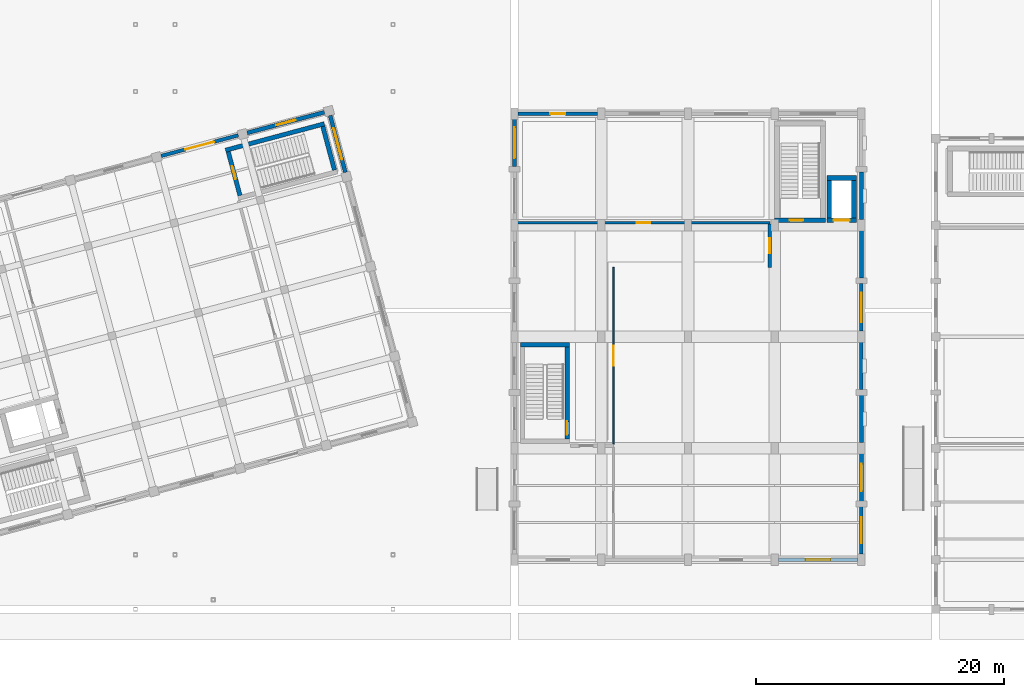
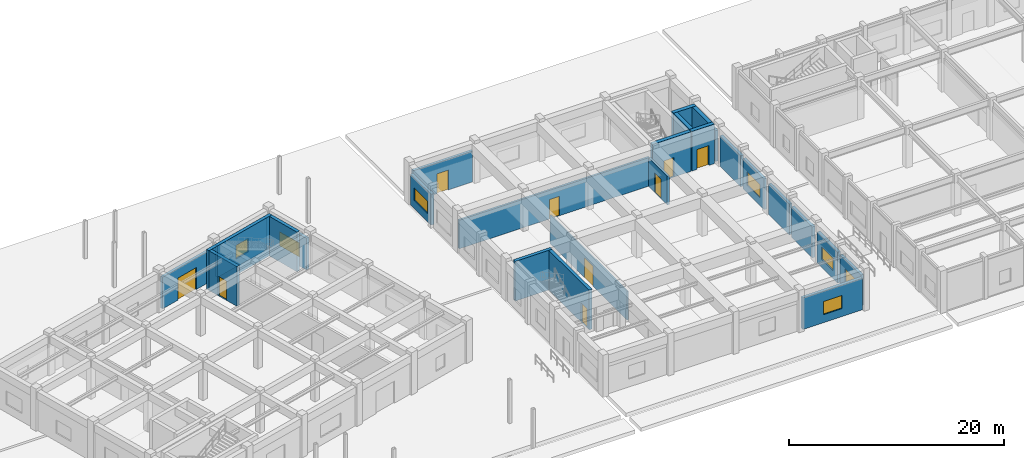
# One storey, part 37 of 47: 26 walls, 9 doors, 7 windows, 16 openings.
"""IFC4 building model written with IfcOpenShell, lengths in metres."""

from ifc_helpers import new_model, si_unit, direction, frame, frame_2d, origin, place, context, subcontext, project, spatial, rectangle, extrude, material, layer, layer_set, type_object, element, fill, save


model = new_model("IFC4")

# Units and contexts
model_context = context("Model", 3, precision=1e-05, world=origin(), true_north=direction((0.0, 1.0)))
body_context = subcontext(model_context, "Body", "Model", "MODEL_VIEW")
ifc_project = project(units=[si_unit("LENGTHUNIT", "METRE"), si_unit("AREAUNIT", "SQUARE_METRE"), si_unit("VOLUMEUNIT", "CUBIC_METRE"), si_unit("PLANEANGLEUNIT", "RADIAN"), si_unit("MASSUNIT", "GRAM", prefix="KILO")], contexts=[model_context])

# Site, building, storey
site_placement = place(None, origin())
site = spatial("IfcSite", under=ifc_project, at=site_placement, CompositionType="ELEMENT")
building_placement = place(site_placement, origin())
building = spatial("IfcBuilding", under=site, at=building_placement, Name="Ventoquebrada Cableway Terminal", CompositionType="ELEMENT")
storey_placement = place(building_placement, origin())
storey = spatial("IfcBuildingStorey", under=building, at=storey_placement, Name="L00", CompositionType="ELEMENT", Elevation=0.0)

# Wall, opening, door
ifc_material_1 = material(Name="Concrete C40/50", Category="concrete")
ifc_layer_1 = layer(ifc_material_1, 0.39990234375)
ifc_layer_set_1 = layer_set([ifc_layer_1], Name="Concrete C40/50")
wall_type_1 = type_object("IfcWallType", Name="WL-CR1", PredefinedType="SHEAR", material=ifc_layer_set_1)
wall_1_placement = place(storey_placement, frame((116.0, 95.39990234375, 0.0), z_axis=(0.0, 0.0, 1.0), x_axis=(1.0, 0.0, 0.0)))
wall_1 = element("IfcWall", 1, at=wall_1_placement, inside=storey, type_object=wall_type_1, Name="Core shear wall IW-0129", PredefinedType="SHEAR", context=body_context, shape_type="SweptSolid", body=[
    extrude(rectangle(XDim=4.10009765625, YDim=0.39990234375, at=frame_2d((2.050048828125, 0.0))), origin(), (0.0, 0.0, 1.0), 4.489990234375),
])
opening_1_placement = place(wall_1_placement, frame((1.199951171875, 0.0, 0.0)))
opening_1 = element("IfcOpeningElement", 2, at=opening_1_placement, cuts=wall_1, Name="Opening D-016", PredefinedType="OPENING", context=body_context, shape_type="SweptSolid", body=[
    extrude(rectangle(XDim=1.10009765625, YDim=2.199951171875, at=frame_2d((0.550048828125, 1.10009765625))), frame((0.0, 0.2099609375, 0.0), z_axis=(0.0, -1.0, 0.0), x_axis=(1.0, 0.0, 0.0)), (0.0, 0.0, 1.0), 0.419921875),
])
ifc_material_2 = material(Name="Galvanized fire-rated steel door assembly", Category="steel")
door_type_1 = type_object("IfcDoorType", Name="DT-IN05", OperationType="SINGLE_SWING_LEFT", PredefinedType="DOOR", material=ifc_material_2)
door_1_placement = place(opening_1_placement, origin())
door_1 = element("IfcDoor", 3, at=door_1_placement, inside=storey, type_object=door_type_1, Name="Core K4-S stair fire door D-016", OperationType="SINGLE_SWING_LEFT", OverallHeight=2.199951171875, OverallWidth=1.10009765625, PredefinedType="DOOR", context=body_context, shape_type="SweptSolid", body=[
    extrude(rectangle(XDim=1.10009765625, YDim=2.199951171875, at=frame_2d((0.550048828125, 1.10009765625))), frame((0.0, 0.02490234375, 0.0), z_axis=(0.0, -1.0, 0.0), x_axis=(1.0, 0.0, 0.0)), (0.0, 0.0, 1.0), 0.050048828125),
])
fill(opening_1, door_1)

wall_2_placement = place(storey_placement, frame((120.199951171875, 95.39990234375, 0.0), z_axis=(0.0, 0.0, 1.0), x_axis=(1.0, 0.0, 0.0)))
wall_2 = element("IfcWall", 4, at=wall_2_placement, inside=storey, type_object=wall_type_1, Name="Core shear wall IW-0133", PredefinedType="SHEAR", context=body_context, shape_type="SweptSolid", body=[
    extrude(rectangle(XDim=2.400146484375, YDim=0.39990234375, at=frame_2d((1.2001953125, 0.0))), origin(), (0.0, 0.0, 1.0), 4.489990234375),
])
opening_2_placement = place(wall_2_placement, frame((0.550048828125, 0.0, 0.0)))
opening_2 = element("IfcOpeningElement", 5, at=opening_2_placement, cuts=wall_2, Name="Opening LD-016", PredefinedType="OPENING", context=body_context, shape_type="SweptSolid", body=[
    extrude(rectangle(XDim=1.300048828125, YDim=2.25, at=frame_2d((0.64990234375, 1.125))), frame((0.0, 0.2099609375, 0.0), z_axis=(0.0, -1.0, 0.0), x_axis=(1.0, 0.0, 0.0)), (0.0, 0.0, 1.0), 0.419921875),
])
ifc_material_3 = material(Name="Brushed stainless steel Grade 316", Category="steel")
door_type_2 = type_object("IfcDoorType", Name="DT-LD02", OperationType="SLIDING_TO_RIGHT", PredefinedType="DOOR", material=ifc_material_3)
door_2_placement = place(opening_2_placement, origin())
door_2 = element("IfcDoor", 6, at=door_2_placement, inside=storey, type_object=door_type_2, Name="Lift landing sliding door LD-016", OperationType="SLIDING_TO_LEFT", OverallHeight=2.25, OverallWidth=1.300048828125, PredefinedType="DOOR", context=body_context, shape_type="SweptSolid", body=[
    extrude(rectangle(XDim=1.300048828125, YDim=2.25, at=frame_2d((0.64990234375, 1.125))), frame((0.0, 0.02490234375, 0.0), z_axis=(0.0, -1.0, 0.0), x_axis=(1.0, 0.0, 0.0)), (0.0, 0.0, 1.0), 0.050048828125),
])
fill(opening_2, door_2)

# Walls
wall_3_placement = place(storey_placement, frame((122.39990234375, 95.60009765625, 0.0), z_axis=(0.0, 0.0, 1.0), x_axis=(0.0, 1.0, 0.0)))
element("IfcWall", 7, at=wall_3_placement, inside=storey, type_object=wall_type_1, Name="Core shear wall IW-0134", PredefinedType="SHEAR", context=body_context, shape_type="SweptSolid", body=[
    extrude(rectangle(XDim=3.0, YDim=0.39990234375, at=frame_2d((1.5, 0.0))), origin(), (0.0, 0.0, 1.0), 4.489990234375),
])
wall_4_placement = place(storey_placement, frame((122.60009765625, 98.800048828125, 0.0), z_axis=(0.0, 0.0, 1.0), x_axis=(-1.0, 0.0, 0.0)))
element("IfcWall", 8, at=wall_4_placement, inside=storey, type_object=wall_type_1, Name="Core shear wall IW-0135", PredefinedType="SHEAR", context=body_context, shape_type="SweptSolid", body=[
    extrude(rectangle(XDim=2.400146484375, YDim=0.39990234375, at=frame_2d((1.2001953125, 0.0))), origin(), (0.0, 0.0, 1.0), 4.489990234375),
])
wall_5_placement = place(storey_placement, frame((120.39990234375, 98.60009765625, 0.0), z_axis=(0.0, 0.0, 1.0), x_axis=(0.0, -1.0, 0.0)))
element("IfcWall", 9, at=wall_5_placement, inside=storey, type_object=wall_type_1, Name="Core shear wall IW-0136", PredefinedType="SHEAR", context=body_context, shape_type="SweptSolid", body=[
    extrude(rectangle(XDim=3.0, YDim=0.39990234375, at=frame_2d((1.5, 0.0))), origin(), (0.0, 0.0, 1.0), 4.489990234375),
])

# Wall, opening, window
ifc_material_4 = material(Name="Precast architectural concrete C40/50", Category="concrete")
ifc_layer_2 = layer(ifc_material_4, 0.280029296875)
ifc_layer_set_2 = layer_set([ifc_layer_2], Name="Precast architectural concrete C40/50")
wall_type_2 = type_object("IfcWallType", Name="WL-EX1", PredefinedType="SOLIDWALL", material=ifc_layer_set_2)
wall_6_placement = place(storey_placement, frame((123.0, 68.445068359375, 0.0), z_axis=(0.0, 0.0, 1.0), x_axis=(0.0, 1.0, 0.0)))
wall_6 = element("IfcWall", 10, at=wall_6_placement, inside=storey, type_object=wall_type_2, Name="Exterior architectural wall EW-0183", PredefinedType="SOLIDWALL", context=body_context, shape_type="SweptSolid", body=[
    extrude(rectangle(XDim=3.8349609375, YDim=0.280029296875, at=frame_2d((1.91748046875, 0.0))), origin(), (0.0, 0.0, 1.0), 3.4951171875),
])
opening_3_placement = place(wall_6_placement, frame((0.867919921875, 0.0, 0.89990234375)))
opening_3 = element("IfcOpeningElement", 11, at=opening_3_placement, cuts=wall_6, Name="Opening WN-088", PredefinedType="OPENING", context=body_context, shape_type="SweptSolid", body=[
    extrude(rectangle(XDim=2.10009765625, YDim=1.550048828125, at=frame_2d((1.050048828125, 0.77490234375))), frame((0.0, 0.14990234375, 0.0), z_axis=(0.0, -1.0, 0.0), x_axis=(1.0, 0.0, 0.0)), (0.0, 0.0, 1.0), 0.300048828125),
])
ifc_material_5 = material(Name="Double low-e laminated safety glazing", Category="glass")
window_type_1 = type_object("IfcWindowType", Name="WT-08", PartitioningType="SINGLE_PANEL", PredefinedType="WINDOW", material=ifc_material_5)
window_1_placement = place(opening_3_placement, origin())
window_1 = element("IfcWindow", 12, at=window_1_placement, inside=storey, type_object=window_type_1, Name="Architectural punched window WN-088", OverallHeight=1.550048828125, OverallWidth=2.10009765625, PartitioningType="SINGLE_PANEL", PredefinedType="WINDOW", context=body_context, shape_type="SweptSolid", body=[
    extrude(rectangle(XDim=2.10009765625, YDim=1.550048828125, at=frame_2d((1.050048828125, 0.77490234375))), frame((0.0, 0.030029296875, 0.0), z_axis=(0.0, -1.0, 0.0), x_axis=(1.0, 0.0, 0.0)), (0.0, 0.0, 1.0), 0.06005859375),
])
fill(opening_3, window_1)

# Wall
wall_7_placement = place(storey_placement, frame((123.0, 81.719970703125, 0.0), z_axis=(0.0, 0.0, 1.0), x_axis=(0.0, 1.0, 0.0)))
element("IfcWall", 13, at=wall_7_placement, inside=storey, type_object=wall_type_2, Name="Exterior architectural wall EW-0186", PredefinedType="SOLIDWALL", context=body_context, shape_type="SweptSolid", body=[
    extrude(rectangle(XDim=3.8349609375, YDim=0.280029296875, at=frame_2d((1.91748046875, 0.0))), origin(), (0.0, 0.0, 1.0), 3.4951171875),
])

# Wall, opening, window
wall_8_placement = place(storey_placement, frame((123.0, 86.445068359375, 0.0), z_axis=(0.0, 0.0, 1.0), x_axis=(0.0, 1.0, 0.0)))
wall_8 = element("IfcWall", 14, at=wall_8_placement, inside=storey, type_object=wall_type_2, Name="Exterior architectural wall EW-0187", PredefinedType="SOLIDWALL", context=body_context, shape_type="SweptSolid", body=[
    extrude(rectangle(XDim=3.8349609375, YDim=0.280029296875, at=frame_2d((1.91748046875, 0.0))), origin(), (0.0, 0.0, 1.0), 3.4951171875),
])
opening_4_placement = place(wall_8_placement, frame((0.718017578125, 0.0, 0.89990234375)))
opening_4 = element("IfcOpeningElement", 15, at=opening_4_placement, cuts=wall_8, Name="Opening WN-090", PredefinedType="OPENING", context=body_context, shape_type="SweptSolid", body=[
    extrude(rectangle(XDim=2.39990234375, YDim=1.5, at=frame_2d((1.199951171875, 0.75))), frame((0.0, 0.14990234375, 0.0), z_axis=(0.0, -1.0, 0.0), x_axis=(1.0, 0.0, 0.0)), (0.0, 0.0, 1.0), 0.300048828125),
])
window_type_2 = type_object("IfcWindowType", Name="WT-10", PartitioningType="SINGLE_PANEL", PredefinedType="WINDOW", material=ifc_material_5)
window_2_placement = place(opening_4_placement, origin())
window_2 = element("IfcWindow", 16, at=window_2_placement, inside=storey, type_object=window_type_2, Name="Architectural punched window WN-090", OverallHeight=1.5, OverallWidth=2.39990234375, PartitioningType="SINGLE_PANEL", PredefinedType="WINDOW", context=body_context, shape_type="SweptSolid", body=[
    extrude(rectangle(XDim=2.39990234375, YDim=1.5, at=frame_2d((1.199951171875, 0.75))), frame((0.0, 0.030029296875, 0.0), z_axis=(0.0, -1.0, 0.0), x_axis=(1.0, 0.0, 0.0)), (0.0, 0.0, 1.0), 0.06005859375),
])
fill(opening_4, window_2)

# Wall, opening, door
wall_9_placement = place(storey_placement, frame((101.705078125, 104.0, 0.0), z_axis=(0.0, 0.0, 1.0), x_axis=(-1.0, 0.0, 0.0)))
wall_9 = element("IfcWall", 17, at=wall_9_placement, inside=storey, type_object=wall_type_2, Name="Exterior architectural wall EW-0191", PredefinedType="SOLIDWALL", context=body_context, shape_type="SweptSolid", body=[
    extrude(rectangle(XDim=6.41015625, YDim=0.280029296875, at=frame_2d((3.205078125, 0.0))), origin(), (0.0, 0.0, 1.0), 3.4951171875),
])
opening_5_placement = place(wall_9_placement, frame((2.60498046875, 0.0, 0.0)))
opening_5 = element("IfcOpeningElement", 18, at=opening_5_placement, cuts=wall_9, Name="Opening D-EX-15", PredefinedType="OPENING", context=body_context, shape_type="SweptSolid", body=[
    extrude(rectangle(XDim=1.199951171875, YDim=2.25, at=frame_2d((0.60009765625, 1.125))), frame((0.0, 0.14990234375, 0.0), z_axis=(0.0, -1.0, 0.0), x_axis=(1.0, 0.0, 0.0)), (0.0, 0.0, 1.0), 0.300048828125),
])
ifc_material_6 = material(Name="Galvanized acoustic steel door assembly", Category="steel")
door_type_3 = type_object("IfcDoorType", Name="DT-EX05", OperationType="SINGLE_SWING_RIGHT", PredefinedType="DOOR", material=ifc_material_6)
door_3_placement = place(opening_5_placement, origin())
door_3 = element("IfcDoor", 19, at=door_3_placement, inside=storey, type_object=door_type_3, Name="Exterior d-ex door D-EX-15", OperationType="SINGLE_SWING_RIGHT", OverallHeight=2.25, OverallWidth=1.199951171875, PredefinedType="DOOR", context=body_context, shape_type="SweptSolid", body=[
    extrude(rectangle(XDim=1.199951171875, YDim=2.25, at=frame_2d((0.60009765625, 1.125))), frame((0.0, 0.02490234375, 0.0), z_axis=(0.0, -1.0, 0.0), x_axis=(1.0, 0.0, 0.0)), (0.0, 0.0, 1.0), 0.050048828125),
])
fill(opening_5, door_3)

wall_10_placement = place(storey_placement, frame((72.7099609375, 102.256103515625, 0.0), z_axis=(0.0, 0.0, 1.0), x_axis=(-0.96595901418, -0.258695154429, 0.0)))
wall_10 = element("IfcWall", 20, at=wall_10_placement, inside=storey, type_object=wall_type_2, Name="Exterior architectural wall EW-0291", PredefinedType="SOLIDWALL", context=body_context, shape_type="SweptSolid", body=[
    extrude(rectangle(XDim=6.4599609375, YDim=0.280029296875, at=frame_2d((3.22998046875, 0.0))), origin(), (0.0, 0.0, 1.0), 3.594970703125),
])
opening_6_placement = place(wall_10_placement, frame((2.030029296875, 0.0, 0.0)))
opening_6 = element("IfcOpeningElement", 21, at=opening_6_placement, cuts=wall_10, Name="Opening D-EN-24", PredefinedType="OPENING", context=body_context, shape_type="SweptSolid", body=[
    extrude(rectangle(XDim=2.39990234375, YDim=2.5, at=frame_2d((1.199951171875, 1.25))), frame((0.0, 0.14990234375, 0.0), z_axis=(0.0, -1.0, 0.0), x_axis=(1.0, 0.0, 0.0)), (0.0, 0.0, 1.0), 0.300048828125),
])
door_type_4 = type_object("IfcDoorType", Name="DT-EX02", OperationType="DOUBLE_SWING_RIGHT", PredefinedType="DOOR", material=ifc_material_6)
door_4_placement = place(opening_6_placement, origin())
door_4 = element("IfcDoor", 22, at=door_4_placement, inside=storey, type_object=door_type_4, Name="Exterior d-en door D-EN-24", OperationType="DOUBLE_SWING_LEFT", OverallHeight=2.5, OverallWidth=2.39990234375, PredefinedType="DOOR", context=body_context, shape_type="SweptSolid", body=[
    extrude(rectangle(XDim=2.39990234375, YDim=2.5, at=frame_2d((1.199951171875, 1.25))), frame((0.0, 0.02490234375, 0.0), z_axis=(0.0, -1.0, 0.0), x_axis=(1.0, 0.0, 0.0)), (0.0, 0.0, 1.0), 0.050048828125),
])
fill(opening_6, door_4)

# Wall, opening, window
ifc_layer_3 = layer(ifc_material_4, 0.320068359375)
ifc_layer_set_3 = layer_set([ifc_layer_3], Name="Precast architectural concrete C40/50")
wall_type_3 = type_object("IfcWallType", Name="WL-EX2", PredefinedType="SOLIDWALL", material=ifc_layer_set_3)
wall_11_placement = place(storey_placement, frame((116.294921875, 68.0, 0.0), z_axis=(0.0, 0.0, 1.0), x_axis=(1.0, 0.0, 0.0)))
wall_11 = element("IfcWall", 23, at=wall_11_placement, inside=storey, type_object=wall_type_3, Name="Exterior architectural wall EW-0182", PredefinedType="SOLIDWALL", context=body_context, shape_type="SweptSolid", body=[
    extrude(rectangle(XDim=6.41015625, YDim=0.320068359375, at=frame_2d((3.205078125, 0.0))), origin(), (0.0, 0.0, 1.0), 3.574951171875),
])
opening_7_placement = place(wall_11_placement, frame((2.205078125, 0.0, 0.89990234375)))
opening_7 = element("IfcOpeningElement", 24, at=opening_7_placement, cuts=wall_11, Name="Opening WN-087", PredefinedType="OPENING", context=body_context, shape_type="SweptSolid", body=[
    extrude(rectangle(XDim=2.0, YDim=1.5, at=frame_2d((1.0, 0.75))), frame((0.0, 0.169921875, 0.0), z_axis=(0.0, -1.0, 0.0), x_axis=(1.0, 0.0, 0.0)), (0.0, 0.0, 1.0), 0.340087890625),
])
window_type_3 = type_object("IfcWindowType", Name="WT-07", PartitioningType="SINGLE_PANEL", PredefinedType="WINDOW", material=ifc_material_5)
window_3_placement = place(opening_7_placement, origin())
window_3 = element("IfcWindow", 25, at=window_3_placement, inside=storey, type_object=window_type_3, Name="Architectural punched window WN-087", OverallHeight=1.5, OverallWidth=2.0, PartitioningType="SINGLE_PANEL", PredefinedType="WINDOW", context=body_context, shape_type="SweptSolid", body=[
    extrude(rectangle(XDim=2.0, YDim=1.5, at=frame_2d((1.0, 0.75))), frame((0.0, 0.030029296875, 0.0), z_axis=(0.0, -1.0, 0.0), x_axis=(1.0, 0.0, 0.0)), (0.0, 0.0, 1.0), 0.06005859375),
])
fill(opening_7, window_3)

wall_12_placement = place(storey_placement, frame((123.0, 72.719970703125, 0.0), z_axis=(0.0, 0.0, 1.0), x_axis=(0.0, 1.0, 0.0)))
wall_12 = element("IfcWall", 26, at=wall_12_placement, inside=storey, type_object=wall_type_3, Name="Exterior architectural wall EW-0184", PredefinedType="SOLIDWALL", context=body_context, shape_type="SweptSolid", body=[
    extrude(rectangle(XDim=3.8349609375, YDim=0.320068359375, at=frame_2d((1.91748046875, 0.0))), origin(), (0.0, 0.0, 1.0), 3.4951171875),
])
opening_8_placement = place(wall_12_placement, frame((0.818115234375, 0.0, 0.89990234375)))
opening_8 = element("IfcOpeningElement", 27, at=opening_8_placement, cuts=wall_12, Name="Opening WN-089", PredefinedType="OPENING", context=body_context, shape_type="SweptSolid", body=[
    extrude(rectangle(XDim=2.199951171875, YDim=1.39990234375, at=frame_2d((1.10009765625, 0.699951171875))), frame((0.0, 0.169921875, 0.0), z_axis=(0.0, -1.0, 0.0), x_axis=(1.0, 0.0, 0.0)), (0.0, 0.0, 1.0), 0.340087890625),
])
window_type_4 = type_object("IfcWindowType", Name="WT-09", PartitioningType="SINGLE_PANEL", PredefinedType="WINDOW", material=ifc_material_5)
window_4_placement = place(opening_8_placement, origin())
window_4 = element("IfcWindow", 28, at=window_4_placement, inside=storey, type_object=window_type_4, Name="Architectural punched window WN-089", OverallHeight=1.39990234375, OverallWidth=2.199951171875, PartitioningType="SINGLE_PANEL", PredefinedType="WINDOW", context=body_context, shape_type="SweptSolid", body=[
    extrude(rectangle(XDim=2.199951171875, YDim=1.39990234375, at=frame_2d((1.10009765625, 0.699951171875))), frame((0.0, 0.030029296875, 0.0), z_axis=(0.0, -1.0, 0.0), x_axis=(1.0, 0.0, 0.0)), (0.0, 0.0, 1.0), 0.06005859375),
])
fill(opening_8, window_4)

# Walls
for number, where, z_axis, x_axis, name in (
    (29, (123.0, 77.445068359375, 0.0), (0.0, 0.0, 1.0), (0.0, 1.0, 0.0), "Exterior architectural wall EW-0185"),
    (30, (123.0, 90.719970703125, 0.0), (0.0, 0.0, 1.0), (0.0, 1.0, 0.0), "Exterior architectural wall EW-0188"),
    (31, (123.0, 95.445068359375, 0.0), (0.0, 0.0, 1.0), (0.0, 1.0, 0.0), "Exterior architectural wall EW-0189"),
):
    element("IfcWall", number, at=place(storey_placement, frame(where, z_axis=z_axis, x_axis=x_axis)), inside=storey, type_object=wall_type_3, Name=name, PredefinedType="SOLIDWALL", context=body_context, shape_type="SweptSolid", body=[
        extrude(rectangle(XDim=3.8349609375, YDim=0.320068359375, at=frame_2d((1.91748046875, 0.0))), origin(), (0.0, 0.0, 1.0), 3.4951171875),
    ])

# Wall, opening, window
wall_13_placement = place(storey_placement, frame((95.0, 103.554931640625, 0.0), z_axis=(0.0, 0.0, 1.0), x_axis=(0.0, -1.0, 0.0)))
wall_13 = element("IfcWall", 32, at=wall_13_placement, inside=storey, type_object=wall_type_3, Name="Exterior architectural wall EW-0201", PredefinedType="SOLIDWALL", context=body_context, shape_type="SweptSolid", body=[
    extrude(rectangle(XDim=3.8349609375, YDim=0.320068359375, at=frame_2d((1.91748046875, 0.0))), origin(), (0.0, 0.0, 1.0), 3.4951171875),
])
opening_9_placement = place(wall_13_placement, frame((0.66796875, 0.0, 0.89990234375)))
opening_9 = element("IfcOpeningElement", 33, at=opening_9_placement, cuts=wall_13, Name="Opening WN-099", PredefinedType="OPENING", context=body_context, shape_type="SweptSolid", body=[
    extrude(rectangle(XDim=2.5, YDim=1.449951171875, at=frame_2d((1.25, 0.72509765625))), frame((0.0, 0.169921875, 0.0), z_axis=(0.0, -1.0, 0.0), x_axis=(1.0, 0.0, 0.0)), (0.0, 0.0, 1.0), 0.340087890625),
])
window_type_5 = type_object("IfcWindowType", Name="WT-19", PartitioningType="SINGLE_PANEL", PredefinedType="WINDOW", material=ifc_material_5)
window_5_placement = place(opening_9_placement, origin())
window_5 = element("IfcWindow", 34, at=window_5_placement, inside=storey, type_object=window_type_5, Name="Architectural punched window WN-099", OverallHeight=1.449951171875, OverallWidth=2.5, PartitioningType="SINGLE_PANEL", PredefinedType="WINDOW", context=body_context, shape_type="SweptSolid", body=[
    extrude(rectangle(XDim=2.5, YDim=1.449951171875, at=frame_2d((1.25, 0.72509765625))), frame((0.0, 0.030029296875, 0.0), z_axis=(0.0, -1.0, 0.0), x_axis=(1.0, 0.0, 0.0)), (0.0, 0.0, 1.0), 0.06005859375),
])
fill(opening_9, window_5)

wall_14_placement = place(storey_placement, frame((79.6650390625, 104.1201171875, 0.0), z_axis=(0.0, 0.0, 1.0), x_axis=(-0.965931354263, -0.258798413541, 0.0)))
wall_14 = element("IfcWall", 35, at=wall_14_placement, inside=storey, type_object=wall_type_3, Name="Exterior architectural wall EW-0292", PredefinedType="SOLIDWALL", context=body_context, shape_type="SweptSolid", body=[
    extrude(rectangle(XDim=6.461181640625, YDim=0.320068359375, at=frame_2d((3.23046875, 0.0))), origin(), (0.0, 0.0, 1.0), 3.594970703125),
])
opening_10_placement = place(wall_14_placement, frame((2.430908203125, 0.0, 0.89990234375)))
opening_10 = element("IfcOpeningElement", 36, at=opening_10_placement, cuts=wall_14, Name="Opening WN-164", PredefinedType="OPENING", context=body_context, shape_type="SweptSolid", body=[
    extrude(rectangle(XDim=1.60009765625, YDim=1.550048828125, at=frame_2d((0.800048828125, 0.77490234375))), frame((0.0, 0.169921875, 0.0), z_axis=(0.0, -1.0, 0.0), x_axis=(1.0, 0.0, 0.0)), (0.0, 0.0, 1.0), 0.340087890625),
])
window_type_6 = type_object("IfcWindowType", Name="WT-04", PartitioningType="SINGLE_PANEL", PredefinedType="WINDOW", material=ifc_material_5)
window_6_placement = place(opening_10_placement, origin())
window_6 = element("IfcWindow", 37, at=window_6_placement, inside=storey, type_object=window_type_6, Name="Architectural punched window WN-164", OverallHeight=1.550048828125, OverallWidth=1.60009765625, PartitioningType="SINGLE_PANEL", PredefinedType="WINDOW", context=body_context, shape_type="SweptSolid", body=[
    extrude(rectangle(XDim=1.60009765625, YDim=1.550048828125, at=frame_2d((0.800048828125, 0.77490234375))), frame((0.0, 0.030029296875, 0.0), z_axis=(0.0, -1.0, 0.0), x_axis=(1.0, 0.0, 0.0)), (0.0, 0.0, 1.0), 0.06005859375),
])
fill(opening_10, window_6)

wall_15_placement = place(storey_placement, frame((81.35009765625, 99.260009765625, 0.0), z_axis=(0.0, 0.0, 1.0), x_axis=(-0.25880187227, 0.965930427572, 0.0)))
wall_15 = element("IfcWall", 38, at=wall_15_placement, inside=storey, type_object=wall_type_3, Name="Exterior architectural wall EW-0300", PredefinedType="SOLIDWALL", context=body_context, shape_type="SweptSolid", body=[
    extrude(rectangle(XDim=4.760986328125, YDim=0.320068359375, at=frame_2d((2.38037109375, 0.0))), origin(), (0.0, 0.0, 1.0), 3.594970703125),
])
opening_11_placement = place(wall_15_placement, frame((1.0810546875, 0.0, 0.89990234375)))
opening_11 = element("IfcOpeningElement", 39, at=opening_11_placement, cuts=wall_15, Name="Opening WN-172", PredefinedType="OPENING", context=body_context, shape_type="SweptSolid", body=[
    extrude(rectangle(XDim=2.60009765625, YDim=1.550048828125, at=frame_2d((1.300048828125, 0.77490234375))), frame((0.0, 0.169921875, 0.0), z_axis=(0.0, -1.0, 0.0), x_axis=(1.0, 0.0, 0.0)), (0.0, 0.0, 1.0), 0.340087890625),
])
window_type_7 = type_object("IfcWindowType", Name="WT-12", PartitioningType="SINGLE_PANEL", PredefinedType="WINDOW", material=ifc_material_5)
window_7_placement = place(opening_11_placement, origin())
window_7 = element("IfcWindow", 40, at=window_7_placement, inside=storey, type_object=window_type_7, Name="Architectural punched window WN-172", OverallHeight=1.550048828125, OverallWidth=2.60009765625, PartitioningType="SINGLE_PANEL", PredefinedType="WINDOW", context=body_context, shape_type="SweptSolid", body=[
    extrude(rectangle(XDim=2.60009765625, YDim=1.550048828125, at=frame_2d((1.300048828125, 0.77490234375))), frame((0.0, 0.030029296875, 0.0), z_axis=(0.0, -1.0, 0.0), x_axis=(1.0, 0.0, 0.0)), (0.0, 0.0, 1.0), 0.06005859375),
])
fill(opening_11, window_7)

# Wall, opening, door
ifc_material_7 = material(Name="Autoclaved aerated concrete blockwork", Category="masonry")
ifc_layer_4 = layer(ifc_material_7, 0.2451171875)
ifc_layer_set_4 = layer_set([ifc_layer_4], Name="Autoclaved aerated concrete blockwork")
wall_type_4 = type_object("IfcWallType", Name="WL-PT10", PredefinedType="PARTITIONING", material=ifc_layer_set_4)
wall_16_placement = place(storey_placement, frame((115.60009765625, 91.60009765625, 0.0), z_axis=(0.0, 0.0, 1.0), x_axis=(0.0, 1.0, 0.0)))
wall_16 = element("IfcWall", 41, at=wall_16_placement, inside=storey, type_object=wall_type_4, Name="Interior partition IW-0340", PredefinedType="PARTITIONING", context=body_context, shape_type="SweptSolid", body=[
    extrude(rectangle(XDim=3.493896484375, YDim=0.2451171875, at=frame_2d((1.7470703125, 0.0))), origin(), (0.0, 0.0, 1.0), 3.235107421875),
])
opening_12_placement = place(wall_16_placement, frame((1.14697265625, 0.0, 0.0)))
opening_12 = element("IfcOpeningElement", 42, at=opening_12_placement, cuts=wall_16, Name="Opening D-079", PredefinedType="OPENING", context=body_context, shape_type="SweptSolid", body=[
    extrude(rectangle(XDim=1.199951171875, YDim=2.199951171875, at=frame_2d((0.60009765625, 1.10009765625))), frame((0.0, 0.132568359375, 0.0), z_axis=(0.0, -1.0, 0.0), x_axis=(1.0, 0.0, 0.0)), (0.0, 0.0, 1.0), 0.26513671875),
])
door_type_5 = type_object("IfcDoorType", Name="DT-IN06", OperationType="SINGLE_SWING_RIGHT", PredefinedType="DOOR", material=ifc_material_2)
door_5_placement = place(opening_12_placement, origin())
door_5 = element("IfcDoor", 43, at=door_5_placement, inside=storey, type_object=door_type_5, Name="K4 Ground Lobby Door D-079", OperationType="SINGLE_SWING_RIGHT", OverallHeight=2.199951171875, OverallWidth=1.199951171875, PredefinedType="DOOR", context=body_context, shape_type="SweptSolid", body=[
    extrude(rectangle(XDim=1.199951171875, YDim=2.199951171875, at=frame_2d((0.60009765625, 1.10009765625))), frame((0.0, 0.02490234375, 0.0), z_axis=(0.0, -1.0, 0.0), x_axis=(1.0, 0.0, 0.0)), (0.0, 0.0, 1.0), 0.050048828125),
])
fill(opening_12, door_5)

ifc_material_8 = material(Name="Fire-rated gypsum partition board on steel framing", Category="steel")
ifc_layer_5 = layer(ifc_material_8, 0.135009765625)
ifc_layer_set_5 = layer_set([ifc_layer_5], Name="Fire-rated gypsum partition board on steel framing")
wall_type_5 = type_object("IfcWallType", Name="WL-PT7", PredefinedType="PARTITIONING", material=ifc_layer_set_5)
wall_17_placement = place(storey_placement, frame((103.0, 77.327880859375, 0.0), z_axis=(0.0, 0.0, 1.0), x_axis=(0.0, 1.0, 0.0)))
wall_17 = element("IfcWall", 44, at=wall_17_placement, inside=storey, type_object=wall_type_5, Name="Interior partition IW-0337", PredefinedType="PARTITIONING", context=body_context, shape_type="SweptSolid", body=[
    extrude(rectangle(XDim=14.272216796875, YDim=0.135009765625, at=frame_2d((7.13623046875, 0.0))), origin(), (0.0, 0.0, 1.0), 3.235107421875),
])
opening_13_placement = place(wall_17_placement, frame((6.3359375, 0.0, 0.0)))
opening_13 = element("IfcOpeningElement", 45, at=opening_13_placement, cuts=wall_17, Name="Opening D-076", PredefinedType="OPENING", context=body_context, shape_type="SweptSolid", body=[
    extrude(rectangle(XDim=1.60009765625, YDim=2.25, at=frame_2d((0.800048828125, 1.125))), frame((0.0, 0.077392578125, 0.0), z_axis=(0.0, -1.0, 0.0), x_axis=(1.0, 0.0, 0.0)), (0.0, 0.0, 1.0), 0.155029296875),
])
door_type_6 = type_object("IfcDoorType", Name="DT-IN07", OperationType="DOUBLE_SWING_LEFT", PredefinedType="DOOR", material=ifc_material_2)
door_6_placement = place(opening_13_placement, origin())
door_6 = element("IfcDoor", 46, at=door_6_placement, inside=storey, type_object=door_type_6, Name="Auxiliary Drive Bay Door D-076", OperationType="DOUBLE_SWING_LEFT", OverallHeight=2.25, OverallWidth=1.60009765625, PredefinedType="DOOR", context=body_context, shape_type="SweptSolid", body=[
    extrude(rectangle(XDim=1.60009765625, YDim=2.25, at=frame_2d((0.800048828125, 1.125))), frame((0.0, 0.02490234375, 0.0), z_axis=(0.0, -1.0, 0.0), x_axis=(1.0, 0.0, 0.0)), (0.0, 0.0, 1.0), 0.050048828125),
])
fill(opening_13, door_6)

ifc_layer_6 = layer(ifc_material_7, 0.215087890625)
ifc_layer_set_6 = layer_set([ifc_layer_6], Name="Autoclaved aerated concrete blockwork")
wall_type_6 = type_object("IfcWallType", Name="WL-PT9", PredefinedType="PARTITIONING", material=ifc_layer_set_6)
wall_18_placement = place(storey_placement, frame((95.199951171875, 95.199951171875, 0.0), z_axis=(0.0, 0.0, 1.0), x_axis=(1.0, 0.0, 0.0)))
wall_18 = element("IfcWall", 47, at=wall_18_placement, inside=storey, type_object=wall_type_6, Name="Interior partition IW-0339", PredefinedType="PARTITIONING", context=body_context, shape_type="SweptSolid", body=[
    extrude(rectangle(XDim=20.400146484375, YDim=0.215087890625, at=frame_2d((10.2001953125, 0.0))), origin(), (0.0, 0.0, 1.0), 3.235107421875),
])
opening_14_placement = place(wall_18_placement, frame((9.64990234375, 0.0, 0.0)))
opening_14 = element("IfcOpeningElement", 48, at=opening_14_placement, cuts=wall_18, Name="Opening D-078", PredefinedType="OPENING", context=body_context, shape_type="SweptSolid", body=[
    extrude(rectangle(XDim=1.10009765625, YDim=2.199951171875, at=frame_2d((0.550048828125, 1.10009765625))), frame((0.0, 0.117431640625, 0.0), z_axis=(0.0, -1.0, 0.0), x_axis=(1.0, 0.0, 0.0)), (0.0, 0.0, 1.0), 0.235107421875),
])
door_type_7 = type_object("IfcDoorType", Name="DT-IN04", OperationType="SINGLE_SWING_RIGHT", PredefinedType="DOOR", material=ifc_material_2)
door_7_placement = place(opening_14_placement, origin())
door_7 = element("IfcDoor", 49, at=door_7_placement, inside=storey, type_object=door_type_7, Name="Grip Calibration Lab Door D-078", OperationType="SINGLE_SWING_LEFT", OverallHeight=2.199951171875, OverallWidth=1.10009765625, PredefinedType="DOOR", context=body_context, shape_type="SweptSolid", body=[
    extrude(rectangle(XDim=1.10009765625, YDim=2.199951171875, at=frame_2d((0.550048828125, 1.10009765625))), frame((0.0, 0.02490234375, 0.0), z_axis=(0.0, -1.0, 0.0), x_axis=(1.0, 0.0, 0.0)), (0.0, 0.0, 1.0), 0.050048828125),
])
fill(opening_14, door_7)

ifc_layer_7 = layer(ifc_material_1, 0.35009765625)
ifc_layer_set_7 = layer_set([ifc_layer_7], Name="Concrete C40/50")
wall_type_7 = type_object("IfcWallType", Name="WL-SH1", PredefinedType="SHEAR", material=ifc_layer_set_7)
wall_19_placement = place(storey_placement, frame((99.25, 77.72509765625, 0.0), z_axis=(0.0, 0.0, 1.0), x_axis=(0.0, 1.0, 0.0)))
wall_19 = element("IfcWall", 50, at=wall_19_placement, inside=storey, type_object=wall_type_7, Name="Core shear wall IW-0234", PredefinedType="SHEAR", context=body_context, shape_type="SweptSolid", body=[
    extrude(rectangle(XDim=7.449951171875, YDim=0.35009765625, at=frame_2d((3.72509765625, 0.0))), origin(), (0.0, 0.0, 1.0), 4.489990234375),
])
opening_15_placement = place(wall_19_placement, frame((0.35009765625, 0.0, 0.0)))
opening_15 = element("IfcOpeningElement", 51, at=opening_15_placement, cuts=wall_19, Name="Opening D-033", PredefinedType="OPENING", context=body_context, shape_type="SweptSolid", body=[
    extrude(rectangle(XDim=1.10009765625, YDim=2.199951171875, at=frame_2d((0.550048828125, 1.10009765625))), frame((0.0, 0.18505859375, 0.0), z_axis=(0.0, -1.0, 0.0), x_axis=(1.0, 0.0, 0.0)), (0.0, 0.0, 1.0), 0.3701171875),
])
door_8_placement = place(opening_15_placement, origin())
door_8 = element("IfcDoor", 52, at=door_8_placement, inside=storey, type_object=door_type_1, Name="Core V2-SEC stair fire door D-033", OperationType="SINGLE_SWING_RIGHT", OverallHeight=2.199951171875, OverallWidth=1.10009765625, PredefinedType="DOOR", context=body_context, shape_type="SweptSolid", body=[
    extrude(rectangle(XDim=1.10009765625, YDim=2.199951171875, at=frame_2d((0.550048828125, 1.10009765625))), frame((0.0, 0.02490234375, 0.0), z_axis=(0.0, -1.0, 0.0), x_axis=(1.0, 0.0, 0.0)), (0.0, 0.0, 1.0), 0.050048828125),
])
fill(opening_15, door_8)

# Walls
wall_20_placement = place(storey_placement, frame((99.425048828125, 85.35009765625, 0.0), z_axis=(0.0, 0.0, 1.0), x_axis=(-1.0, 0.0, 0.0)))
element("IfcWall", 53, at=wall_20_placement, inside=storey, type_object=wall_type_7, Name="Core shear wall IW-0235", PredefinedType="SHEAR", context=body_context, shape_type="SweptSolid", body=[
    extrude(rectangle(XDim=3.949951171875, YDim=0.35009765625, at=frame_2d((1.97509765625, 0.0))), origin(), (0.0, 0.0, 1.0), 4.489990234375),
])
wall_21_placement = place(storey_placement, frame((80.471923828125, 99.445068359375, 0.0), z_axis=(0.0, 0.0, 1.0), x_axis=(-0.258903281768, 0.965903251206, 0.0)))
element("IfcWall", 54, at=wall_21_placement, inside=storey, type_object=wall_type_7, Name="Core shear wall IW-0282", PredefinedType="SHEAR", context=body_context, shape_type="SweptSolid", body=[
    extrude(rectangle(XDim=3.6494140625, YDim=0.35009765625, at=frame_2d((1.82470703125, 0.0))), origin(), (0.0, 0.0, 1.0), 4.489990234375),
])
wall_22_placement = place(storey_placement, frame((79.65087890625, 103.18408203125, 0.0), z_axis=(0.0, 0.0, 1.0), x_axis=(-0.965963766628, -0.258677408293, 0.0)))
element("IfcWall", 55, at=wall_22_placement, inside=storey, type_object=wall_type_7, Name="Core shear wall IW-0283", PredefinedType="SHEAR", context=body_context, shape_type="SweptSolid", body=[
    extrude(rectangle(XDim=8.249755859375, YDim=0.35009765625, at=frame_2d((4.125, 0.0))), origin(), (0.0, 0.0, 1.0), 4.489990234375),
])

# Wall, opening, door
wall_23_placement = place(storey_placement, frame((71.89599609375, 100.926025390625, 0.0), z_axis=(0.0, 0.0, 1.0), x_axis=(0.259131609127, -0.965842020804, 0.0)))
wall_23 = element("IfcWall", 56, at=wall_23_placement, inside=storey, type_object=wall_type_7, Name="Core shear wall IW-0284", PredefinedType="SHEAR", context=body_context, shape_type="SweptSolid", body=[
    extrude(rectangle(XDim=3.65087890625, YDim=0.35009765625, at=frame_2d((1.825439453125, 0.0))), origin(), (0.0, 0.0, 1.0), 4.489990234375),
])
opening_16_placement = place(wall_23_placement, frame((1.199951171875, 0.0, 0.0)))
opening_16 = element("IfcOpeningElement", 57, at=opening_16_placement, cuts=wall_23, Name="Opening D-044", PredefinedType="OPENING", context=body_context, shape_type="SweptSolid", body=[
    extrude(rectangle(XDim=1.10009765625, YDim=2.199951171875, at=frame_2d((0.550048828125, 1.10009765625))), frame((0.0, 0.18505859375, 0.0), z_axis=(0.0, -1.0, 0.0), x_axis=(1.0, 0.0, 0.0)), (0.0, 0.0, 1.0), 0.3701171875),
])
door_9_placement = place(opening_16_placement, origin())
door_9 = element("IfcDoor", 58, at=door_9_placement, inside=storey, type_object=door_type_1, Name="Core V1-EAST stair fire door D-044", OperationType="SINGLE_SWING_LEFT", OverallHeight=2.199951171875, OverallWidth=1.10009765625, PredefinedType="DOOR", context=body_context, shape_type="SweptSolid", body=[
    extrude(rectangle(XDim=1.10009765625, YDim=2.199951171875, at=frame_2d((0.550048828125, 1.10009765625))), frame((0.0, 0.02490234375, 0.0), z_axis=(0.0, -1.0, 0.0), x_axis=(1.0, 0.0, 0.0)), (0.0, 0.0, 1.0), 0.050048828125),
])
fill(opening_16, door_9)

save(model, "model.ifc")
